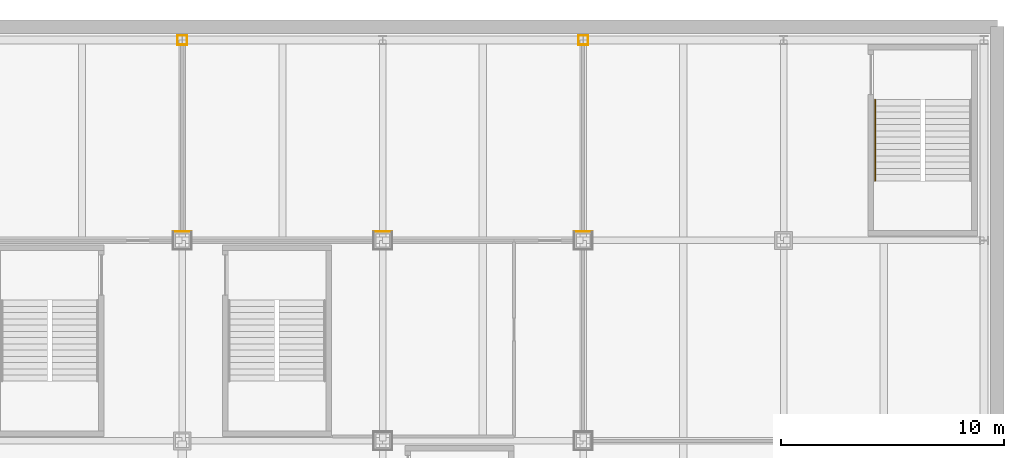
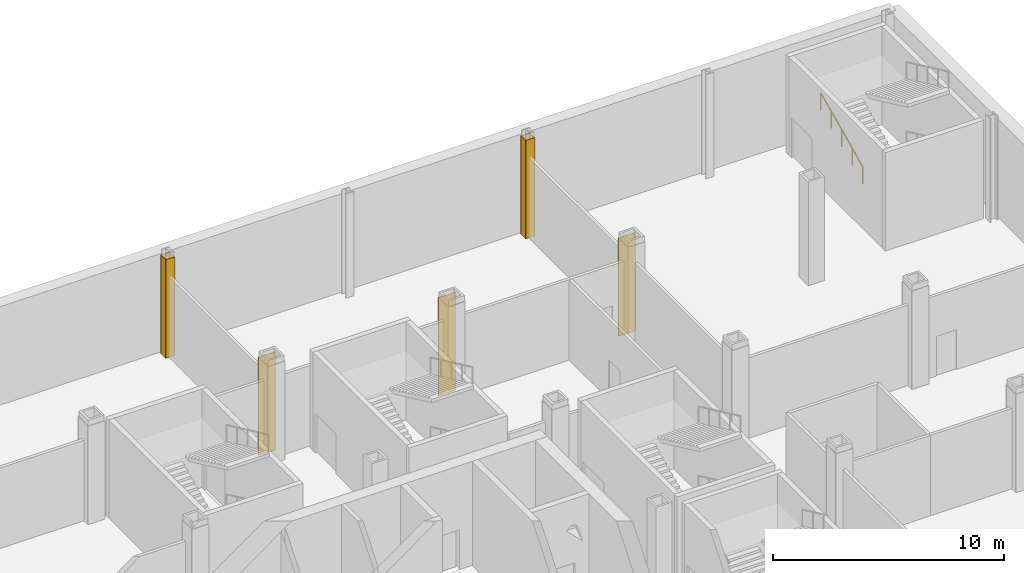
# One storey, part 25 of 27: 11 coverings, 1 railing.
"""IFC4 building model written with IfcOpenShell, lengths in metres."""

import ifcopenshell
import ifcopenshell.guid

model = None  # the IFC model being written
_history = None  # IfcOwnerHistory: only IFC2X3 demands one
_inside = {}  # id of a spatial element -> (the spatial element, [elements in it])
_under = {}  # id of a project, library or spatial element -> (it, [spatial elements below it])
_declared = {}  # id of a project -> (the project, [libraries it declares])
_typed = {}  # id of a type object -> (the type object, [elements of that type])
_made_of = {}  # id of a material, layer set ... -> (it, [elements and type objects made of it])


def new_model(schema):
    """Start an empty IFC model of exactly this schema.

    Asked for "IFC4X3", IfcOpenShell would pick the latest addendum, in which some entities
    have other attributes; the version numbers below select the first issue.
    IFC2X3 requires an IfcOwnerHistory on every rooted entity: one is made here for all.
    """
    global model, _history
    if schema == "IFC4X3":
        model = ifcopenshell.file(schema_version=(4, 3, 0, 0))
    else:
        model = ifcopenshell.file(schema=schema)
    _inside.clear()
    _under.clear()
    _declared.clear()
    _typed.clear()
    _made_of.clear()
    _history = None
    if model.schema == "IFC2X3":
        org = make("IfcOrganization", Name="unknown")
        user = make(
            "IfcPersonAndOrganization",
            ThePerson=make("IfcPerson", FamilyName="unknown"),
            TheOrganization=org,
        )
        app = make(
            "IfcApplication",
            ApplicationDeveloper=org,
            Version="unknown",
            ApplicationFullName="unknown",
            ApplicationIdentifier="unknown",
        )
        _history = make(
            "IfcOwnerHistory",
            OwningUser=user,
            OwningApplication=app,
            ChangeAction="ADDED",
            CreationDate=0,
        )
    return model


def make(cls, **values):
    """One entity of the class cls with the attributes given. An attribute that is None is left unset."""
    return model.create_entity(
        cls, **{name: value for name, value in values.items() if value is not None}
    )


def rooted(cls, **values):
    """An entity with a GlobalId (a new one), such as an element, a storey or a relation."""
    return make(cls, GlobalId=ifcopenshell.guid.new(), OwnerHistory=_history, **values)


def si_unit(unit_type, name, prefix=None):
    """IfcSIUnit, for example si_unit("LENGTHUNIT", "METRE", prefix="MILLI")."""
    return make("IfcSIUnit", UnitType=unit_type, Prefix=prefix, Name=name)


def assignment(units):
    """IfcUnitAssignment: the units of a project."""
    return None if units is None else make("IfcUnitAssignment", Units=units)


def point(xyz):
    """IfcCartesianPoint."""
    return None if xyz is None else make("IfcCartesianPoint", Coordinates=xyz)


def direction(xyz):
    """IfcDirection."""
    return None if xyz is None else make("IfcDirection", DirectionRatios=xyz)


def frame(location, z_axis=None, x_axis=None):
    """IfcAxis2Placement3D, a coordinate frame: its origin and axes. An axis left out is left unset."""
    return make(
        "IfcAxis2Placement3D",
        Location=point(location),
        Axis=direction(z_axis),
        RefDirection=direction(x_axis),
    )


def frame_2d(location, x_axis=None):
    """IfcAxis2Placement2D, a coordinate frame in the plane: its origin and x axis."""
    return make(
        "IfcAxis2Placement2D", Location=point(location), RefDirection=direction(x_axis)
    )


def origin():
    """The frame at (0, 0, 0) with its axes left unset."""
    return frame((0.0, 0.0, 0.0))


def origin_2d():
    """The frame at (0, 0) in the plane with its x axis left unset."""
    return frame_2d((0.0, 0.0))


def place(relative_to, where):
    """IfcLocalPlacement: puts the frame where relative to a parent placement (None: the world)."""
    return make(
        "IfcLocalPlacement", PlacementRelTo=relative_to, RelativePlacement=where
    )


def context(
    kind, dimensions, precision=None, world=None, true_north=None, identifier=None
):
    """IfcGeometricRepresentationContext, for example the 3D "Model" context."""
    return make(
        "IfcGeometricRepresentationContext",
        ContextIdentifier=identifier,
        ContextType=kind,
        CoordinateSpaceDimension=dimensions,
        Precision=precision,
        WorldCoordinateSystem=world,
        TrueNorth=true_north,
    )


def subcontext(parent, identifier, kind, view, scale=None):
    """IfcGeometricRepresentationSubContext, for example "Body" below "Model"."""
    return make(
        "IfcGeometricRepresentationSubContext",
        ContextIdentifier=identifier,
        ContextType=kind,
        ParentContext=parent,
        TargetScale=scale,
        TargetView=view,
    )


def project(units=None, contexts=None):
    """IfcProject with its units and contexts."""
    return rooted(
        "IfcProject",
        Name="project",
        RepresentationContexts=contexts,
        UnitsInContext=assignment(units),
    )


def spatial(cls, under=None, at=None, **own):
    """A site, building, storey or space (cls), placed at a placement, below another one or the project."""
    s = rooted(cls, ObjectPlacement=at, **own)
    if under is not None:
        _under.setdefault(under.id(), (under, []))[1].append(s)
    return s


def profile(cls, at=None, kind="AREA", **sizes):
    """A parametric profile (cls). Its sizes go by their IFC names, for example OverallWidth=200.0."""
    return make(cls, ProfileType=kind, Position=at, **sizes)


def rectangle(**sizes):
    """IfcRectangleProfileDef."""
    return profile("IfcRectangleProfileDef", **sizes)


def circle(**sizes):
    """IfcCircleProfileDef."""
    return profile("IfcCircleProfileDef", **sizes)


def extrude(swept, where, along, depth):
    """IfcExtrudedAreaSolid: the profile swept, set in the frame where, extruded along a direction by depth."""
    return make(
        "IfcExtrudedAreaSolid",
        SweptArea=swept,
        Position=where,
        ExtrudedDirection=direction(along),
        Depth=depth,
    )


def shape(context_of_items, identifier, shape_type, items):
    """IfcShapeRepresentation: the items that make up one representation, for example the "Body"."""
    return make(
        "IfcShapeRepresentation",
        ContextOfItems=context_of_items,
        RepresentationIdentifier=identifier,
        RepresentationType=shape_type,
        Items=items,
    )


def material(Name=None, Category=None):
    """IfcMaterial."""
    return make("IfcMaterial", Name=Name, Category=Category)


def layer(
    of_material, thickness, ventilated=None, Name=None, Category=None, Priority=None
):
    """IfcMaterialLayer: one layer of a wall or slab, of a material (None: an air gap)."""
    return make(
        "IfcMaterialLayer",
        Material=of_material,
        LayerThickness=thickness,
        IsVentilated=ventilated,
        Name=Name,
        Category=Category,
        Priority=Priority,
    )


def layer_set(layers, Name=None):
    """IfcMaterialLayerSet."""
    return make("IfcMaterialLayerSet", MaterialLayers=layers, LayerSetName=Name)


def made_of(thing, what):
    """Note that an element or type object is made of a material, layer set ...; save() writes the relation."""
    if what is not None:
        _made_of.setdefault(what.id(), (what, []))[1].append(thing)
    return thing


def type_object(cls, material=None, **own):
    """A type object (cls), such as IfcWallType, which elements share."""
    return made_of(rooted(cls, **own), material)


def element(
    cls,
    number,
    at=None,
    inside=None,
    cuts=None,
    type_object=None,
    material=None,
    context=None,
    identifier="Body",
    shape_type=None,
    held_by="IfcProductDefinitionShape",
    body=None,
    shapes=None,
    **own,
):
    """One element of the class cls, such as IfcWall. Its Tag is "e" and its number.

    at: its placement. inside: the storey or other place that contains it. cuts: it is an
    opening in that element (IfcRelVoidsElement). A single representation is given by context,
    identifier, shape_type and body (its items); several are given by shapes. held_by: the class
    of the entity that holds the representations. save() writes the other relations.
    """
    e = rooted(cls, Tag="e%d" % number, ObjectPlacement=at, **own)
    if body is not None:
        shapes = [shape(context, identifier, shape_type, body)]
    if shapes is not None:
        e.Representation = make(held_by, Representations=shapes)
    if inside is not None:
        _inside.setdefault(inside.id(), (inside, []))[1].append(e)
    if cuts is not None:
        rooted(
            "IfcRelVoidsElement", RelatingBuildingElement=cuts, RelatedOpeningElement=e
        )
    if type_object is not None:
        _typed.setdefault(type_object.id(), (type_object, []))[1].append(e)
    return made_of(e, material)


def aggregate(whole, parts):
    """IfcRelAggregates: a whole, such as a stair, and the parts it consists of."""
    return rooted("IfcRelAggregates", RelatingObject=whole, RelatedObjects=parts)


def save(model, path):
    """Write the relations noted so far, then the file.

    IfcRelAggregates (storeys below a building ...), IfcRelContainedInSpatialStructure (elements
    in a storey), IfcRelDefinesByType, IfcRelAssociatesMaterial and IfcRelDeclares: one each for
    every whole, place, type object, material and project.
    """
    for whole, parts in _under.values():
        aggregate(whole, parts)
    for where, things in _inside.values():
        rooted(
            "IfcRelContainedInSpatialStructure",
            RelatedElements=things,
            RelatingStructure=where,
        )
    for kind, things in _typed.values():
        rooted("IfcRelDefinesByType", RelatedObjects=things, RelatingType=kind)
    for what, things in _made_of.values():
        rooted("IfcRelAssociatesMaterial", RelatedObjects=things, RelatingMaterial=what)
    for by, libraries in _declared.values():
        rooted("IfcRelDeclares", RelatingContext=by, RelatedDefinitions=libraries)
    model.write(path)


model = new_model("IFC4")

# Units and contexts
model_context = context("Model", 3, precision=1e-05, world=origin(), true_north=direction((0.0, 1.0)))
body_context = subcontext(model_context, "Body", "Model", "MODEL_VIEW")
ifc_project = project(units=[si_unit("LENGTHUNIT", "METRE"), si_unit("AREAUNIT", "SQUARE_METRE"), si_unit("VOLUMEUNIT", "CUBIC_METRE"), si_unit("PLANEANGLEUNIT", "RADIAN"), si_unit("MASSUNIT", "GRAM", prefix="KILO")], contexts=[model_context])

# Site, building, storey
site_placement = place(None, origin())
site = spatial("IfcSite", under=ifc_project, at=site_placement, CompositionType="ELEMENT")
building_placement = place(site_placement, origin())
building = spatial("IfcBuilding", under=site, at=building_placement, Name="Loomwork Tower", CompositionType="ELEMENT")
storey_placement = place(building_placement, frame((0.0, 0.0, -5.5)))
storey = spatial("IfcBuildingStorey", under=building, at=storey_placement, Name="B1", CompositionType="ELEMENT", Elevation=-5.5)

# Coverings
ifc_material_1 = material(Name="Two-hour fire-rated gypsum board casing")
ifc_layer = layer(ifc_material_1, 0.02490234375)
ifc_layer_set = layer_set([ifc_layer], Name="Column fire casing 25")
covering_type = type_object("IfcCoveringType", Name="Column fire casing 25", PredefinedType="CLADDING", material=ifc_layer_set)
covering_placement = place(storey_placement, frame((27.0, 36.41259765625, 0.0), z_axis=(0.0, 0.0, 1.0), x_axis=(1.0, 0.0, 0.0)))
element("IfcCovering", 1, at=covering_placement, inside=storey, type_object=covering_type, Name="Column casing 27 36 B1", PredefinedType="CLADDING", context=body_context, shape_type="SweptSolid", body=[
    extrude(rectangle(XDim=0.85009765625, YDim=0.02490234375, at=origin_2d()), origin(), (0.0, 0.0, 1.0), 5.199951171875),
])
for number, where, z_axis, x_axis, name in (
    (2, (27.0, 45.2119140625, 0.0), (0.0, 0.0, 1.0), (1.0, 0.0, 0.0), "Column casing 27 45 B1"),
    (3, (27.0, 44.7880859375, 0.0), (0.0, 0.0, 1.0), (1.0, 0.0, 0.0), "Column casing 27 45 B1"),
):
    element("IfcCovering", number, at=place(storey_placement, frame(where, z_axis=z_axis, x_axis=x_axis)), inside=storey, type_object=covering_type, Name=name, PredefinedType="CLADDING", context=body_context, shape_type="SweptSolid", body=[
        extrude(rectangle(XDim=0.451416015625, YDim=0.02490234375, at=origin_2d()), origin(), (0.0, 0.0, 1.0), 5.199951171875),
    ])
for number, where, z_axis, x_axis, name in (
    (4, (27.213134765625, 45.0, 0.0), (0.0, 0.0, 1.0), (1.0, 0.0, 0.0), "Column casing 27 45 B1"),
    (5, (26.786865234375, 45.0, 0.0), (0.0, 0.0, 1.0), (1.0, 0.0, 0.0), "Column casing 27 45 B1"),
):
    element("IfcCovering", number, at=place(storey_placement, frame(where, z_axis=z_axis, x_axis=x_axis)), inside=storey, type_object=covering_type, Name=name, PredefinedType="CLADDING", context=body_context, shape_type="SweptSolid", body=[
        extrude(rectangle(XDim=0.02490234375, YDim=0.398681640625, at=origin_2d()), origin(), (0.0, 0.0, 1.0), 5.199951171875),
    ])
for number, where, z_axis, x_axis, name in (
    (6, (36.0, 36.41259765625, 0.0), (0.0, 0.0, 1.0), (1.0, 0.0, 0.0), "Column casing 36 36 B1"),
    (7, (45.0, 36.41259765625, 0.0), (0.0, 0.0, 1.0), (1.0, 0.0, 0.0), "Column casing 45 36 B1"),
):
    element("IfcCovering", number, at=place(storey_placement, frame(where, z_axis=z_axis, x_axis=x_axis)), inside=storey, type_object=covering_type, Name=name, PredefinedType="CLADDING", context=body_context, shape_type="SweptSolid", body=[
        extrude(rectangle(XDim=0.85009765625, YDim=0.02490234375, at=origin_2d()), origin(), (0.0, 0.0, 1.0), 5.199951171875),
    ])
for number, where, z_axis, x_axis, name in (
    (8, (45.0, 45.2119140625, 0.0), (0.0, 0.0, 1.0), (1.0, 0.0, 0.0), "Column casing 45 45 B1"),
    (9, (45.0, 44.7880859375, 0.0), (0.0, 0.0, 1.0), (1.0, 0.0, 0.0), "Column casing 45 45 B1"),
):
    element("IfcCovering", number, at=place(storey_placement, frame(where, z_axis=z_axis, x_axis=x_axis)), inside=storey, type_object=covering_type, Name=name, PredefinedType="CLADDING", context=body_context, shape_type="SweptSolid", body=[
        extrude(rectangle(XDim=0.451416015625, YDim=0.02490234375, at=origin_2d()), origin(), (0.0, 0.0, 1.0), 5.199951171875),
    ])
for number, where, z_axis, x_axis, name in (
    (10, (45.213134765625, 45.0, 0.0), (0.0, 0.0, 1.0), (1.0, 0.0, 0.0), "Column casing 45 45 B1"),
    (11, (44.786865234375, 45.0, 0.0), (0.0, 0.0, 1.0), (1.0, 0.0, 0.0), "Column casing 45 45 B1"),
):
    element("IfcCovering", number, at=place(storey_placement, frame(where, z_axis=z_axis, x_axis=x_axis)), inside=storey, type_object=covering_type, Name=name, PredefinedType="CLADDING", context=body_context, shape_type="SweptSolid", body=[
        extrude(rectangle(XDim=0.02490234375, YDim=0.398681640625, at=origin_2d()), origin(), (0.0, 0.0, 1.0), 5.199951171875),
    ])

# Railing
ifc_material_2 = material(Name="Stainless steel handrail", Category="steel")
railing_type = type_object("IfcRailingType", Name="Handrail 900", PredefinedType="HANDRAIL", material=ifc_material_2)
railing_placement = place(storey_placement, frame((58.110107421875, 38.679931640625, 1.96435546875)))
element("IfcRailing", 12, at=railing_placement, inside=storey, type_object=railing_type, Name="Podium stair PS4 handrail flight 2 B1", PredefinedType="HANDRAIL", context=body_context, shape_type="SweptSolid", body=[
    extrude(circle(Radius=0.02392578125, at=origin_2d()), frame((0.0, 0.0, 0.8759765625), z_axis=(0.0, 0.905856922506, 0.423583800383), x_axis=(-1.0, 0.0, 0.0)), (0.0, 0.0, 1.0), 4.0185546875),
    extrude(circle(Radius=0.02099609375, at=origin_2d()), origin(), (0.0, 0.0, 1.0), 0.851806640625),
    extrude(circle(Radius=0.02099609375, at=origin_2d()), frame((0.0, 0.91015625, 0.425537109375)), (0.0, 0.0, 1.0), 0.851806640625),
    extrude(circle(Radius=0.02099609375, at=origin_2d()), frame((0.0, 1.820068359375, 0.85107421875)), (0.0, 0.0, 1.0), 0.851806640625),
    extrude(circle(Radius=0.02099609375, at=origin_2d()), frame((0.0, 2.72998046875, 1.276611328125)), (0.0, 0.0, 1.0), 0.851806640625),
    extrude(circle(Radius=0.02099609375, at=origin_2d()), frame((0.0, 3.64013671875, 1.7021484375)), (0.0, 0.0, 1.0), 0.851806640625),
])

save(model, "model.ifc")
